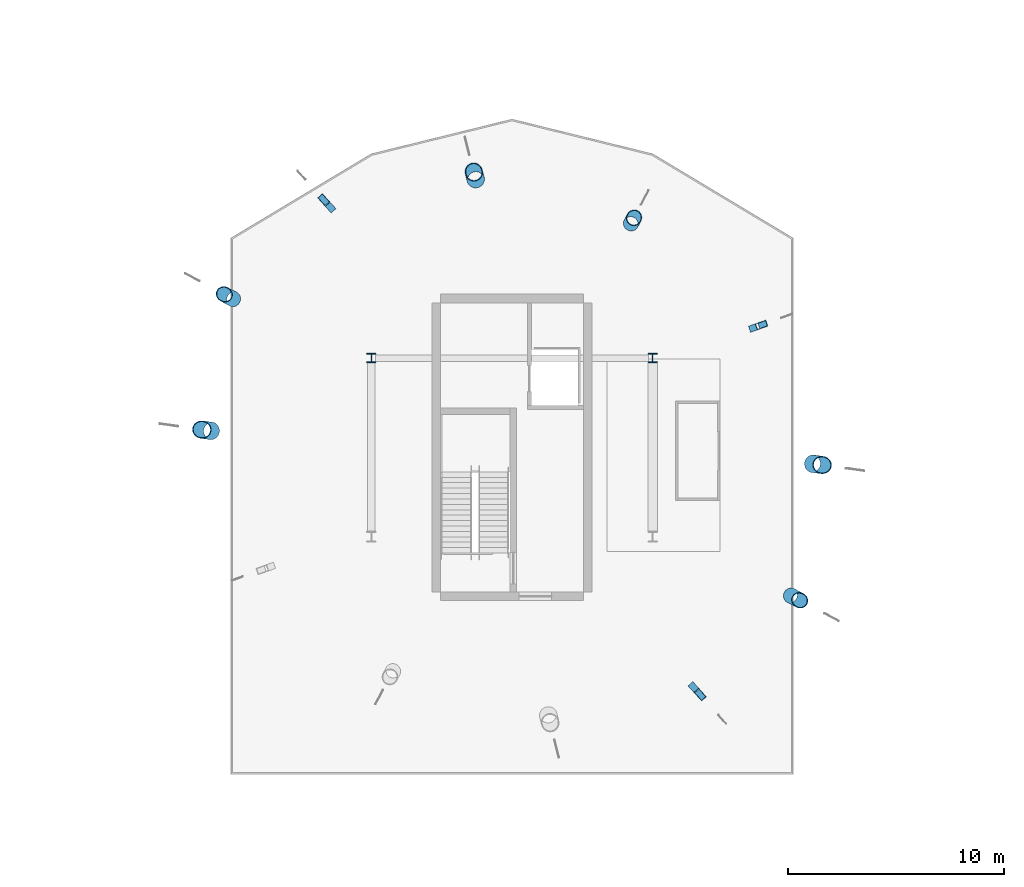
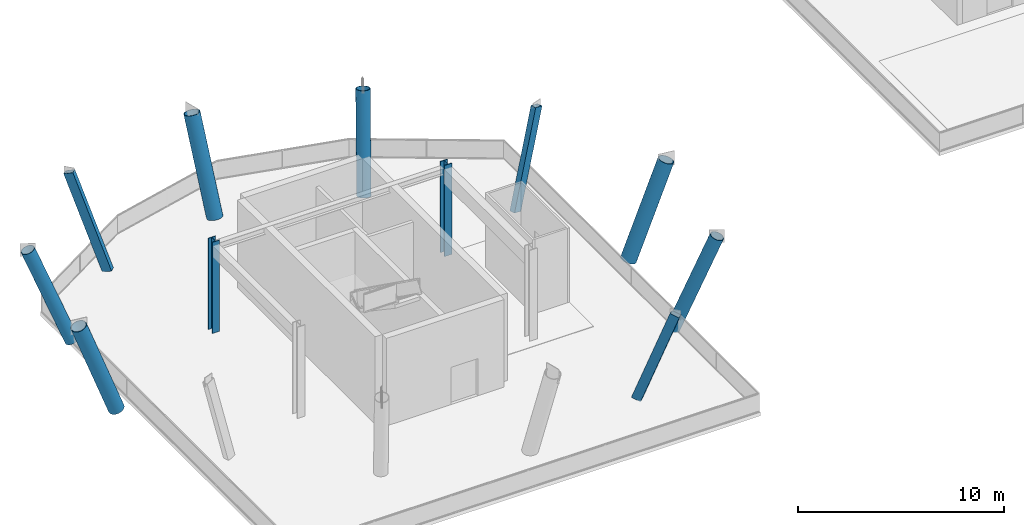
# One storey, part 17 of 117: 11 columns.
"""IFC4 building model written with IfcOpenShell, lengths in metres."""

from ifc_helpers import new_model, si_unit, direction, frame, origin, origin_2d, place, context, subcontext, project, spatial, hollow_rectangle, hollow_circle, i_section, extrude, material, material_profile, profile_set, type_object, element, save


model = new_model("IFC4")

# Units and contexts
model_context = context("Model", 3, precision=1e-05, world=origin(), true_north=direction((0.0, 1.0)))
body_context = subcontext(model_context, "Body", "Model", "MODEL_VIEW")
ifc_project = project(units=[si_unit("LENGTHUNIT", "METRE"), si_unit("AREAUNIT", "SQUARE_METRE"), si_unit("VOLUMEUNIT", "CUBIC_METRE"), si_unit("PLANEANGLEUNIT", "RADIAN"), si_unit("MASSUNIT", "GRAM", prefix="KILO")], contexts=[model_context])

# Site, building, storey
site_placement = place(None, origin())
site = spatial("IfcSite", under=ifc_project, at=site_placement, CompositionType="ELEMENT")
building_placement = place(site_placement, origin())
building = spatial("IfcBuilding", under=site, at=building_placement, Name="Linyun Crest Stadium", CompositionType="ELEMENT")
storey_placement = place(building_placement, frame((0.0, 0.0, 6.0)))
storey = spatial("IfcBuildingStorey", under=building, at=storey_placement, Name="L02", CompositionType="ELEMENT", Elevation=6.0)

# Columns
ifc_material_1 = material(Name="Steel Q355C", Category="steel")
ifc_material_profile_1 = material_profile(ifc_material_1, i_section(OverallWidth=0.406982421875, OverallDepth=0.427978515625, WebThickness=0.02001953125, FlangeThickness=0.034912109375, at=origin_2d()), Name="HW 428x407")
ifc_profile_set_1 = profile_set([ifc_material_profile_1], Name="Steel Q355C")
column_type_1 = type_object("IfcColumnType", Name="SC03", PredefinedType="COLUMN", material=ifc_profile_set_1)
for number, where, z_axis, x_axis, name in (
    (1, (-80.0, 88.75, 0.0), (0.0, 0.0, 1.0), (1.0, 0.0, 0.0), "Column SC03 L02 810"),
    (2, (-67.0, 88.75, 0.0), (0.0, 0.0, 1.0), (1.0, 0.0, 0.0), "Column SC03 L02 817"),
):
    element("IfcColumn", number, at=place(storey_placement, frame(where, z_axis=z_axis, x_axis=x_axis)), inside=storey, type_object=column_type_1, Name=name, PredefinedType="COLUMN", context=body_context, shape_type="SweptSolid", body=[
        extrude(i_section(OverallWidth=0.406982421875, OverallDepth=0.427978515625, WebThickness=0.02001953125, FlangeThickness=0.034912109375, at=origin_2d()), origin(), (0.0, 0.0, 1.0), 5.39794921875),
    ])
ifc_material_2 = material(Name="Steel Q420C", Category="steel")
ifc_material_profile_2 = material_profile(ifc_material_2, hollow_circle(Radius=0.35546875, WallThickness=0.031982421875, at=origin_2d()), Name="CHS 711x32")
ifc_profile_set_2 = profile_set([ifc_material_profile_2], Name="Steel Q420C")
column_type_2 = type_object("IfcColumnType", Name="VL01", PredefinedType="PILASTER", material=ifc_profile_set_2)
column_1_placement = place(storey_placement, frame((-60.625, 77.779052734375, 0.001953125), z_axis=(0.325568876488, -0.17298343741, 0.92955991579), x_axis=(0.469208050864, 0.883087654202, 0.0)))
element("IfcColumn", 3, at=column_1_placement, inside=storey, type_object=column_type_2, Name="Inclined V-leg pier VL01 2", PredefinedType="PILASTER", context=body_context, shape_type="SweptSolid", body=[
    extrude(hollow_circle(Radius=0.35546875, WallThickness=0.031982421875, at=origin_2d()), origin(), (0.0, 0.0, 1.0), 5.804931640625),
])
column_2_placement = place(storey_placement, frame((-68.001953125, 94.966064453125, 0.001953125), z_axis=(0.11464459209, 0.215644152363, 0.969718627776), x_axis=(-0.882973793471, 0.469422283284, 0.0)))
element("IfcColumn", 4, at=column_2_placement, inside=storey, type_object=column_type_2, Name="Inclined V-leg pier VL01 11", PredefinedType="PILASTER", context=body_context, shape_type="SweptSolid", body=[
    extrude(hollow_circle(Radius=0.35546875, WallThickness=0.031982421875, at=origin_2d()), origin(), (0.0, 0.0, 1.0), 5.564453125),
])
column_3_placement = place(storey_placement, frame((-86.375, 91.470947265625, 0.001953125), z_axis=(-0.325568876488, 0.17298343741, 0.92955991579), x_axis=(-0.469208050864, -0.883087654202, 0.0)))
element("IfcColumn", 5, at=column_3_placement, inside=storey, type_object=column_type_2, Name="Inclined V-leg pier VL01 20", PredefinedType="PILASTER", context=body_context, shape_type="SweptSolid", body=[
    extrude(hollow_circle(Radius=0.35546875, WallThickness=0.031982421875, at=origin_2d()), origin(), (0.0, 0.0, 1.0), 5.804931640625),
])
ifc_material_3 = material(Name="Steel Q420C", Category="steel")
ifc_material_profile_3 = material_profile(ifc_material_3, hollow_circle(Radius=0.406494140625, WallThickness=0.035888671875, at=origin_2d()), Name="CHS 813x36")
ifc_profile_set_3 = profile_set([ifc_material_profile_3], Name="Steel Q420C")
column_type_3 = type_object("IfcColumnType", Name="VL02", PredefinedType="PILASTER", material=ifc_profile_set_3)
column_4_placement = place(storey_placement, frame((-59.60107421875, 83.866943359375, 0.001953125), z_axis=(0.340273478299, -0.046995812562, 0.93915140077), x_axis=(0.136813203276, 0.990596864224, 0.0)))
element("IfcColumn", 6, at=column_4_placement, inside=storey, type_object=column_type_3, Name="Inclined V-leg pier VL02 5", PredefinedType="PILASTER", context=body_context, shape_type="SweptSolid", body=[
    extrude(hollow_circle(Radius=0.406494140625, WallThickness=0.035888671875, at=origin_2d()), origin(), (0.0, 0.0, 1.0), 5.74560546875),
])
column_5_placement = place(storey_placement, frame((-75.176025390625, 97.0029296875, 0.001953125), z_axis=(-0.06969646561, 0.27409892702, 0.959172654368), x_axis=(-0.969159835539, -0.246432979081, 0.0)))
element("IfcColumn", 7, at=column_5_placement, inside=storey, type_object=column_type_3, Name="Inclined V-leg pier VL02 14", PredefinedType="PILASTER", context=body_context, shape_type="SweptSolid", body=[
    extrude(hollow_circle(Radius=0.406494140625, WallThickness=0.035888671875, at=origin_2d()), origin(), (0.0, 0.0, 1.0), 5.625732421875),
])
column_6_placement = place(storey_placement, frame((-87.39892578125, 85.383056640625, 0.001953125), z_axis=(-0.340273478299, 0.046995812562, 0.93915140077), x_axis=(-0.136813203276, -0.990596864224, 0.0)))
element("IfcColumn", 8, at=column_6_placement, inside=storey, type_object=column_type_3, Name="Inclined V-leg pier VL02 23", PredefinedType="PILASTER", context=body_context, shape_type="SweptSolid", body=[
    extrude(hollow_circle(Radius=0.406494140625, WallThickness=0.035888671875, at=origin_2d()), origin(), (0.0, 0.0, 1.0), 5.74560546875),
])
ifc_material_4 = material(Name="Steel Q420C", Category="steel")
ifc_material_profile_4 = material_profile(ifc_material_4, hollow_rectangle(XDim=0.300048828125, YDim=0.5, WallThickness=0.02001953125, at=origin_2d()), Name="RHS 500x300x20")
ifc_profile_set_4 = profile_set([ifc_material_profile_4], Name="Steel Q420C")
column_type_4 = type_object("IfcColumnType", Name="VL03", PredefinedType="PILASTER", material=ifc_profile_set_4)
column_7_placement = place(storey_placement, frame((-62.301025390625, 90.157958984375, 0.001953125), z_axis=(0.266286911611, 0.095300856893, 0.959171010498), x_axis=(-0.336958422921, 0.941519527797, 0.0)))
element("IfcColumn", 9, at=column_7_placement, inside=storey, type_object=column_type_4, Name="Inclined V-leg pier VL03 8", PredefinedType="PILASTER", context=body_context, shape_type="SweptSolid", body=[
    extrude(hollow_rectangle(XDim=0.300048828125, YDim=0.5, WallThickness=0.02001953125, at=origin_2d()), origin(), (0.0, 0.0, 1.0), 5.625732421875),
])
for number, where, z_axis, x_axis, name in (
    (10, (-81.89990234375, 95.72412109375, 0.001953125), (-0.22940222553, 0.255830857551, 0.939108721739), (-0.744516455679, -0.667604109651, 0.0), "Inclined V-leg pier VL03 17"),
    (11, (-65.10009765625, 73.52587890625, 0.001953125), (0.22940222553, -0.255830857551, 0.939108721739), (0.744516455679, 0.667604109651, 0.0), "Inclined V-leg pier VL03 35"),
):
    element("IfcColumn", number, at=place(storey_placement, frame(where, z_axis=z_axis, x_axis=x_axis)), inside=storey, type_object=column_type_4, Name=name, PredefinedType="PILASTER", context=body_context, shape_type="SweptSolid", body=[
        extrude(hollow_rectangle(XDim=0.300048828125, YDim=0.5, WallThickness=0.02001953125, at=origin_2d()), origin(), (0.0, 0.0, 1.0), 5.745849609375),
    ])

save(model, "model.ifc")
